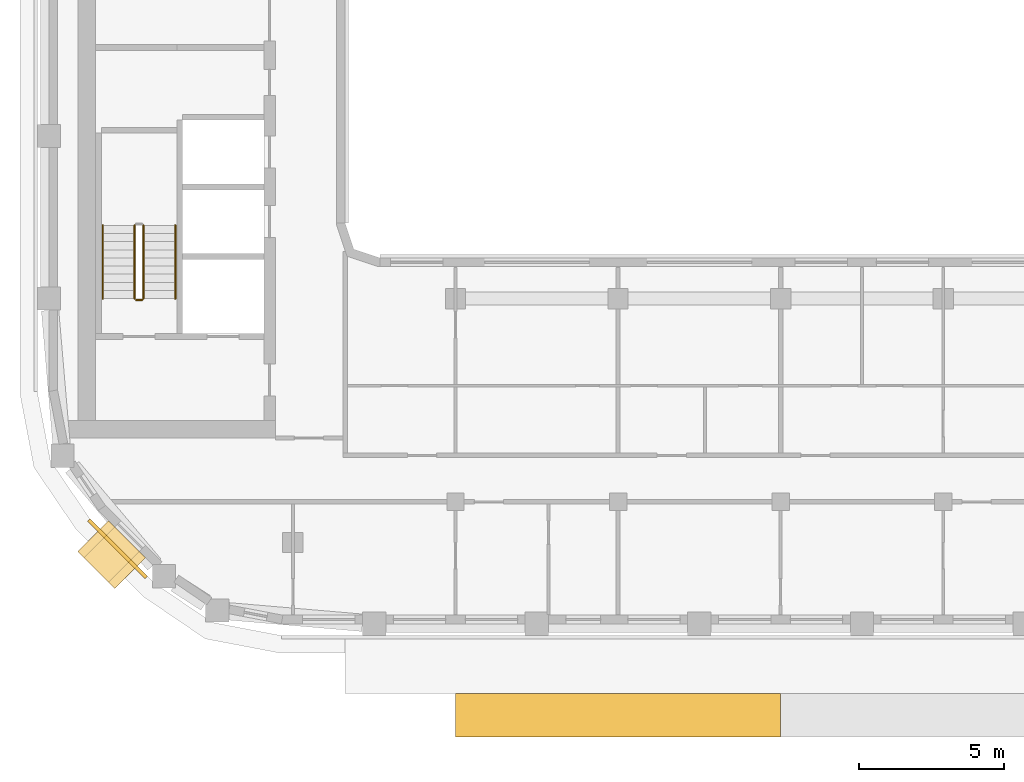
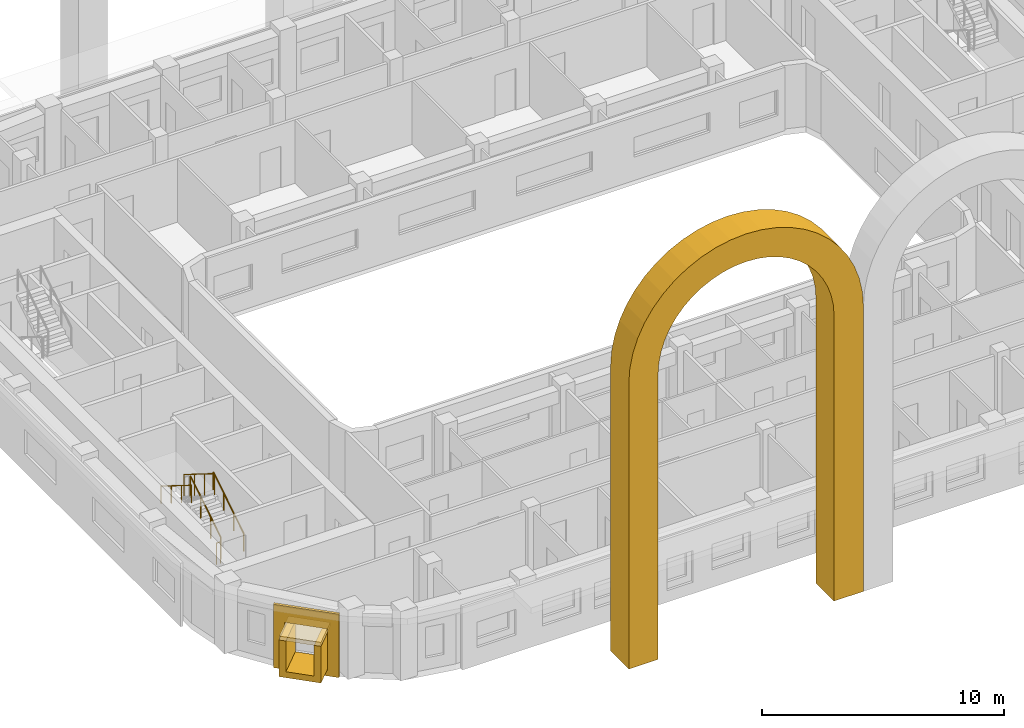
# One storey, part 10 of 18: 5 railings, 4 coverings.
"""IFC4 building model written with IfcOpenShell, lengths in metres."""

import ifcopenshell
import ifcopenshell.guid

model = None  # the IFC model being written
_history = None  # IfcOwnerHistory: only IFC2X3 demands one
_inside = {}  # id of a spatial element -> (the spatial element, [elements in it])
_under = {}  # id of a project, library or spatial element -> (it, [spatial elements below it])
_declared = {}  # id of a project -> (the project, [libraries it declares])
_typed = {}  # id of a type object -> (the type object, [elements of that type])
_made_of = {}  # id of a material, layer set ... -> (it, [elements and type objects made of it])


def new_model(schema):
    """Start an empty IFC model of exactly this schema.

    Asked for "IFC4X3", IfcOpenShell would pick the latest addendum, in which some entities
    have other attributes; the version numbers below select the first issue.
    IFC2X3 requires an IfcOwnerHistory on every rooted entity: one is made here for all.
    """
    global model, _history
    if schema == "IFC4X3":
        model = ifcopenshell.file(schema_version=(4, 3, 0, 0))
    else:
        model = ifcopenshell.file(schema=schema)
    _inside.clear()
    _under.clear()
    _declared.clear()
    _typed.clear()
    _made_of.clear()
    _history = None
    if model.schema == "IFC2X3":
        org = make("IfcOrganization", Name="unknown")
        user = make(
            "IfcPersonAndOrganization",
            ThePerson=make("IfcPerson", FamilyName="unknown"),
            TheOrganization=org,
        )
        app = make(
            "IfcApplication",
            ApplicationDeveloper=org,
            Version="unknown",
            ApplicationFullName="unknown",
            ApplicationIdentifier="unknown",
        )
        _history = make(
            "IfcOwnerHistory",
            OwningUser=user,
            OwningApplication=app,
            ChangeAction="ADDED",
            CreationDate=0,
        )
    return model


def make(cls, **values):
    """One entity of the class cls with the attributes given. An attribute that is None is left unset."""
    return model.create_entity(
        cls, **{name: value for name, value in values.items() if value is not None}
    )


def rooted(cls, **values):
    """An entity with a GlobalId (a new one), such as an element, a storey or a relation."""
    return make(cls, GlobalId=ifcopenshell.guid.new(), OwnerHistory=_history, **values)


def si_unit(unit_type, name, prefix=None):
    """IfcSIUnit, for example si_unit("LENGTHUNIT", "METRE", prefix="MILLI")."""
    return make("IfcSIUnit", UnitType=unit_type, Prefix=prefix, Name=name)


def assignment(units):
    """IfcUnitAssignment: the units of a project."""
    return None if units is None else make("IfcUnitAssignment", Units=units)


def point(xyz):
    """IfcCartesianPoint."""
    return None if xyz is None else make("IfcCartesianPoint", Coordinates=xyz)


def direction(xyz):
    """IfcDirection."""
    return None if xyz is None else make("IfcDirection", DirectionRatios=xyz)


def frame(location, z_axis=None, x_axis=None):
    """IfcAxis2Placement3D, a coordinate frame: its origin and axes. An axis left out is left unset."""
    return make(
        "IfcAxis2Placement3D",
        Location=point(location),
        Axis=direction(z_axis),
        RefDirection=direction(x_axis),
    )


def frame_2d(location, x_axis=None):
    """IfcAxis2Placement2D, a coordinate frame in the plane: its origin and x axis."""
    return make(
        "IfcAxis2Placement2D", Location=point(location), RefDirection=direction(x_axis)
    )


def origin():
    """The frame at (0, 0, 0) with its axes left unset."""
    return frame((0.0, 0.0, 0.0))


def origin_2d():
    """The frame at (0, 0) in the plane with its x axis left unset."""
    return frame_2d((0.0, 0.0))


def place(relative_to, where):
    """IfcLocalPlacement: puts the frame where relative to a parent placement (None: the world)."""
    return make(
        "IfcLocalPlacement", PlacementRelTo=relative_to, RelativePlacement=where
    )


def context(
    kind, dimensions, precision=None, world=None, true_north=None, identifier=None
):
    """IfcGeometricRepresentationContext, for example the 3D "Model" context."""
    return make(
        "IfcGeometricRepresentationContext",
        ContextIdentifier=identifier,
        ContextType=kind,
        CoordinateSpaceDimension=dimensions,
        Precision=precision,
        WorldCoordinateSystem=world,
        TrueNorth=true_north,
    )


def subcontext(parent, identifier, kind, view, scale=None):
    """IfcGeometricRepresentationSubContext, for example "Body" below "Model"."""
    return make(
        "IfcGeometricRepresentationSubContext",
        ContextIdentifier=identifier,
        ContextType=kind,
        ParentContext=parent,
        TargetScale=scale,
        TargetView=view,
    )


def project(units=None, contexts=None):
    """IfcProject with its units and contexts."""
    return rooted(
        "IfcProject",
        Name="project",
        RepresentationContexts=contexts,
        UnitsInContext=assignment(units),
    )


def spatial(cls, under=None, at=None, **own):
    """A site, building, storey or space (cls), placed at a placement, below another one or the project."""
    s = rooted(cls, ObjectPlacement=at, **own)
    if under is not None:
        _under.setdefault(under.id(), (under, []))[1].append(s)
    return s


def polyline(points):
    """IfcPolyline through the points."""
    return make("IfcPolyline", Points=[point(p) for p in points])


def profile(cls, at=None, kind="AREA", **sizes):
    """A parametric profile (cls). Its sizes go by their IFC names, for example OverallWidth=200.0."""
    return make(cls, ProfileType=kind, Position=at, **sizes)


def rectangle(**sizes):
    """IfcRectangleProfileDef."""
    return profile("IfcRectangleProfileDef", **sizes)


def circle(**sizes):
    """IfcCircleProfileDef."""
    return profile("IfcCircleProfileDef", **sizes)


def outline(outer, holes=None, kind="AREA"):
    """IfcArbitraryClosedProfileDef: a profile drawn as a closed curve; with holes, ...WithVoids."""
    if holes is None:
        return make("IfcArbitraryClosedProfileDef", ProfileType=kind, OuterCurve=outer)
    return make(
        "IfcArbitraryProfileDefWithVoids",
        ProfileType=kind,
        OuterCurve=outer,
        InnerCurves=holes,
    )


def extrude(swept, where, along, depth):
    """IfcExtrudedAreaSolid: the profile swept, set in the frame where, extruded along a direction by depth."""
    return make(
        "IfcExtrudedAreaSolid",
        SweptArea=swept,
        Position=where,
        ExtrudedDirection=direction(along),
        Depth=depth,
    )


def shape(context_of_items, identifier, shape_type, items):
    """IfcShapeRepresentation: the items that make up one representation, for example the "Body"."""
    return make(
        "IfcShapeRepresentation",
        ContextOfItems=context_of_items,
        RepresentationIdentifier=identifier,
        RepresentationType=shape_type,
        Items=items,
    )


def material(Name=None, Category=None):
    """IfcMaterial."""
    return make("IfcMaterial", Name=Name, Category=Category)


def layer(
    of_material, thickness, ventilated=None, Name=None, Category=None, Priority=None
):
    """IfcMaterialLayer: one layer of a wall or slab, of a material (None: an air gap)."""
    return make(
        "IfcMaterialLayer",
        Material=of_material,
        LayerThickness=thickness,
        IsVentilated=ventilated,
        Name=Name,
        Category=Category,
        Priority=Priority,
    )


def layer_set(layers, Name=None):
    """IfcMaterialLayerSet."""
    return make("IfcMaterialLayerSet", MaterialLayers=layers, LayerSetName=Name)


def made_of(thing, what):
    """Note that an element or type object is made of a material, layer set ...; save() writes the relation."""
    if what is not None:
        _made_of.setdefault(what.id(), (what, []))[1].append(thing)
    return thing


def type_object(cls, material=None, **own):
    """A type object (cls), such as IfcWallType, which elements share."""
    return made_of(rooted(cls, **own), material)


def element(
    cls,
    number,
    at=None,
    inside=None,
    cuts=None,
    type_object=None,
    material=None,
    context=None,
    identifier="Body",
    shape_type=None,
    held_by="IfcProductDefinitionShape",
    body=None,
    shapes=None,
    **own,
):
    """One element of the class cls, such as IfcWall. Its Tag is "e" and its number.

    at: its placement. inside: the storey or other place that contains it. cuts: it is an
    opening in that element (IfcRelVoidsElement). A single representation is given by context,
    identifier, shape_type and body (its items); several are given by shapes. held_by: the class
    of the entity that holds the representations. save() writes the other relations.
    """
    e = rooted(cls, Tag="e%d" % number, ObjectPlacement=at, **own)
    if body is not None:
        shapes = [shape(context, identifier, shape_type, body)]
    if shapes is not None:
        e.Representation = make(held_by, Representations=shapes)
    if inside is not None:
        _inside.setdefault(inside.id(), (inside, []))[1].append(e)
    if cuts is not None:
        rooted(
            "IfcRelVoidsElement", RelatingBuildingElement=cuts, RelatedOpeningElement=e
        )
    if type_object is not None:
        _typed.setdefault(type_object.id(), (type_object, []))[1].append(e)
    return made_of(e, material)


def aggregate(whole, parts):
    """IfcRelAggregates: a whole, such as a stair, and the parts it consists of."""
    return rooted("IfcRelAggregates", RelatingObject=whole, RelatedObjects=parts)


def save(model, path):
    """Write the relations noted so far, then the file.

    IfcRelAggregates (storeys below a building ...), IfcRelContainedInSpatialStructure (elements
    in a storey), IfcRelDefinesByType, IfcRelAssociatesMaterial and IfcRelDeclares: one each for
    every whole, place, type object, material and project.
    """
    for whole, parts in _under.values():
        aggregate(whole, parts)
    for where, things in _inside.values():
        rooted(
            "IfcRelContainedInSpatialStructure",
            RelatedElements=things,
            RelatingStructure=where,
        )
    for kind, things in _typed.values():
        rooted("IfcRelDefinesByType", RelatedObjects=things, RelatingType=kind)
    for what, things in _made_of.values():
        rooted("IfcRelAssociatesMaterial", RelatedObjects=things, RelatingMaterial=what)
    for by, libraries in _declared.values():
        rooted("IfcRelDeclares", RelatingContext=by, RelatedDefinitions=libraries)
    model.write(path)


model = new_model("IFC4")

# Units and contexts
model_context = context("Model", 3, precision=1e-05, world=origin(), true_north=direction((0.0, 1.0)))
body_context = subcontext(model_context, "Body", "Model", "MODEL_VIEW")
ifc_project = project(units=[si_unit("LENGTHUNIT", "METRE"), si_unit("AREAUNIT", "SQUARE_METRE"), si_unit("VOLUMEUNIT", "CUBIC_METRE"), si_unit("PLANEANGLEUNIT", "RADIAN"), si_unit("MASSUNIT", "GRAM", prefix="KILO")], contexts=[model_context])

# Site, building, storey
site_placement = place(None, origin())
site = spatial("IfcSite", under=ifc_project, at=site_placement, CompositionType="ELEMENT")
building_placement = place(site_placement, origin())
building = spatial("IfcBuilding", under=site, at=building_placement, Name="Kiln Ring Residences", CompositionType="ELEMENT")
storey_placement = place(building_placement, frame((0.0, 0.0, 262.699951171875)))
storey = spatial("IfcBuildingStorey", under=building, at=storey_placement, Name="L68", CompositionType="ELEMENT", Elevation=262.699951171875)

# Covering
ifc_material_1 = material(Name="Brick masonry, dark clay brick", Category="masonry")
ifc_layer_1 = layer(ifc_material_1, 1.39990234375)
ifc_layer_set_1 = layer_set([ifc_layer_1], Name="ARCH SURROUND 1500")
covering_type_1 = type_object("IfcCoveringType", Name="ARCH SURROUND 1500", PredefinedType="CLADDING", material=ifc_layer_set_1)
covering_1_placement = place(storey_placement, frame((0.0, -22.75, 0.0), z_axis=(0.0, 0.0, 1.0), x_axis=(-1.0, 0.0, 0.0)))
element("IfcCovering", 1, at=covering_1_placement, inside=storey, type_object=covering_type_1, Name="ARCH SURROUND Z5 S2.1", PredefinedType="CLADDING", context=body_context, shape_type="SweptSolid", body=[
    extrude(outline(polyline([(11.199951171875, 0.0), (11.199951171875, 14.400146484375), (11.152099609375, 15.130859375), (11.00927734375, 15.849365234375), (10.773681640625, 16.54296875), (10.44970703125, 17.199951171875), (10.042724609375, 17.80908203125), (9.559814453125, 18.35986328125), (9.009033203125, 18.8427734375), (8.39990234375, 19.249755859375), (7.742919921875, 19.57373046875), (7.04931640625, 19.809326171875), (6.330810546875, 19.9521484375), (5.60009765625, 20.0), (4.869140625, 19.9521484375), (4.150634765625, 19.809326171875), (3.45703125, 19.57373046875), (2.800048828125, 19.249755859375), (2.19091796875, 18.8427734375), (1.64013671875, 18.35986328125), (1.1572265625, 17.80908203125), (0.750244140625, 17.199951171875), (0.42626953125, 16.54296875), (0.19091796875, 15.849365234375), (0.0478515625, 15.130859375), (0.0, 14.400146484375), (0.0, 0.0), (1.39990234375, 0.0), (1.39990234375, 14.400146484375), (1.435791015625, 14.9482421875), (1.543212890625, 15.487060546875), (1.7197265625, 16.00732421875), (1.962646484375, 16.5), (2.267822265625, 16.956787109375), (2.630126953125, 17.369873046875), (3.043212890625, 17.732177734375), (3.5, 18.037353515625), (3.99267578125, 18.2802734375), (4.512939453125, 18.45703125), (5.0517578125, 18.564208984375), (5.60009765625, 18.60009765625), (6.148193359375, 18.564208984375), (6.68701171875, 18.45703125), (7.207275390625, 18.2802734375), (7.699951171875, 18.037353515625), (8.15673828125, 17.732177734375), (8.56982421875, 17.369873046875), (8.93212890625, 16.956787109375), (9.2373046875, 16.5), (9.480224609375, 16.00732421875), (9.656982421875, 15.487060546875), (9.76416015625, 14.9482421875), (9.800048828125, 14.400146484375), (9.800048828125, 0.0), (11.199951171875, 0.0)])), frame((0.0, 0.75, 0.0), z_axis=(0.0, -1.0, 0.0), x_axis=(1.0, 0.0, 0.0)), (0.0, 0.0, 1.0), 1.5),
])

# Railings
ifc_material_2 = material(Name="Stainless steel", Category="steel")
railing_type_1 = type_object("IfcRailingType", Name="CORE-STAIR-GUARD", PredefinedType="GUARDRAIL", material=ifc_material_2)
railing_1_placement = place(storey_placement, frame((-21.949951171875, -8.39990234375, 0.175048828125)))
element("IfcRailing", 2, at=railing_1_placement, inside=storey, type_object=railing_type_1, Name="L68 W-STS stair guard 1", PredefinedType="GUARDRAIL", context=body_context, shape_type="SweptSolid", body=[
    extrude(circle(Radius=0.02392578125, at=origin_2d()), frame((0.0, 0.0, 1.076171875), z_axis=(0.0, 0.848007534815, 0.529984170421), x_axis=(-1.0, 0.0, 0.0)), (0.0, 0.0, 1.0), 2.9716796875),
    extrude(circle(Radius=0.02099609375, at=origin_2d()), origin(), (0.0, 0.0, 1.0), 1.052001953125),
    extrude(circle(Radius=0.02099609375, at=origin_2d()), frame((0.0, 0.840087890625, 0.52490234375)), (0.0, 0.0, 1.0), 1.052001953125),
    extrude(circle(Radius=0.02099609375, at=origin_2d()), frame((0.0, 1.679931640625, 1.050048828125)), (0.0, 0.0, 1.0), 1.052001953125),
    extrude(circle(Radius=0.02099609375, at=origin_2d()), frame((0.0, 2.52001953125, 1.574951171875)), (0.0, 0.0, 1.0), 1.052001953125),
])
railing_2_placement = place(storey_placement, frame((-22.25, -5.8798828125, 1.925048828125)))
element("IfcRailing", 3, at=railing_2_placement, inside=storey, type_object=railing_type_1, Name="L68 W-STS stair guard 3", PredefinedType="GUARDRAIL", context=body_context, shape_type="SweptSolid", body=[
    extrude(circle(Radius=0.02392578125, at=origin_2d()), frame((0.0, 0.0, 1.076171875), z_axis=(0.0, -0.848007534815, 0.529984170421), x_axis=(1.0, 0.0, 0.0)), (0.0, 0.0, 1.0), 2.9716796875),
    extrude(circle(Radius=0.02099609375, at=origin_2d()), origin(), (0.0, 0.0, 1.0), 1.052001953125),
    extrude(circle(Radius=0.02099609375, at=origin_2d()), frame((0.0, -0.840087890625, 0.52490234375)), (0.0, 0.0, 1.0), 1.052001953125),
    extrude(circle(Radius=0.02099609375, at=origin_2d()), frame((0.0, -1.679931640625, 1.050048828125)), (0.0, 0.0, 1.0), 1.052001953125),
    extrude(circle(Radius=0.02099609375, at=origin_2d()), frame((0.0, -2.52001953125, 1.574951171875)), (0.0, 0.0, 1.0), 1.052001953125),
])
railing_3_placement = place(storey_placement, frame((-22.0, -8.449951171875, 0.0)))
element("IfcRailing", 4, at=railing_3_placement, inside=storey, type_object=railing_type_1, Name="L68 W-STS stair guard 4", PredefinedType="GUARDRAIL", context=body_context, shape_type="SweptSolid", body=[
    extrude(circle(Radius=0.02392578125, at=origin_2d()), frame((0.0, 0.0, 1.076171875), z_axis=(-1.0, 0.0, 0.0), x_axis=(0.0, -1.0, 0.0)), (0.0, 0.0, 1.0), 0.199951171875),
    extrude(circle(Radius=0.02099609375, at=origin_2d()), origin(), (0.0, 0.0, 1.0), 1.052001953125),
    extrude(circle(Radius=0.02099609375, at=origin_2d()), frame((-0.199951171875, 0.0, 0.0)), (0.0, 0.0, 1.0), 1.052001953125),
])
ifc_material_3 = material(Name="Stainless steel", Category="steel")
railing_type_2 = type_object("IfcRailingType", Name="CORE-STAIR-HANDRAIL", PredefinedType="HANDRAIL", material=ifc_material_3)
railing_4_placement = place(storey_placement, frame((-20.85009765625, -8.39990234375, 0.175048828125)))
element("IfcRailing", 5, at=railing_4_placement, inside=storey, type_object=railing_type_2, Name="L68 W-STS stair handrail 1", PredefinedType="HANDRAIL", context=body_context, shape_type="SweptSolid", body=[
    extrude(circle(Radius=0.02392578125, at=origin_2d()), frame((0.0, 0.0, 0.8759765625), z_axis=(0.0, 0.848007534815, 0.529984170421), x_axis=(-1.0, 0.0, 0.0)), (0.0, 0.0, 1.0), 2.9716796875),
    extrude(circle(Radius=0.02099609375, at=origin_2d()), origin(), (0.0, 0.0, 1.0), 0.851806640625),
    extrude(circle(Radius=0.02099609375, at=origin_2d()), frame((0.0, 0.840087890625, 0.52490234375)), (0.0, 0.0, 1.0), 0.851806640625),
    extrude(circle(Radius=0.02099609375, at=origin_2d()), frame((0.0, 1.679931640625, 1.050048828125)), (0.0, 0.0, 1.0), 0.851806640625),
    extrude(circle(Radius=0.02099609375, at=origin_2d()), frame((0.0, 2.52001953125, 1.574951171875)), (0.0, 0.0, 1.0), 0.851806640625),
])
railing_5_placement = place(storey_placement, frame((-23.35009765625, -5.8798828125, 1.925048828125)))
element("IfcRailing", 6, at=railing_5_placement, inside=storey, type_object=railing_type_2, Name="L68 W-STS stair handrail 2", PredefinedType="HANDRAIL", context=body_context, shape_type="SweptSolid", body=[
    extrude(circle(Radius=0.02392578125, at=origin_2d()), frame((0.0, 0.0, 0.8759765625), z_axis=(0.0, -0.848007534815, 0.529984170421), x_axis=(1.0, 0.0, 0.0)), (0.0, 0.0, 1.0), 2.9716796875),
    extrude(circle(Radius=0.02099609375, at=origin_2d()), origin(), (0.0, 0.0, 1.0), 0.851806640625),
    extrude(circle(Radius=0.02099609375, at=origin_2d()), frame((0.0, -0.840087890625, 0.52490234375)), (0.0, 0.0, 1.0), 0.851806640625),
    extrude(circle(Radius=0.02099609375, at=origin_2d()), frame((0.0, -1.679931640625, 1.050048828125)), (0.0, 0.0, 1.0), 0.851806640625),
    extrude(circle(Radius=0.02099609375, at=origin_2d()), frame((0.0, -2.52001953125, 1.574951171875)), (0.0, 0.0, 1.0), 0.851806640625),
])

# Coverings
ifc_material_4 = material(Name="Brick masonry, dark clay brick", Category="masonry")
ifc_layer_2 = layer(ifc_material_4, 0.300048828125)
ifc_layer_set_2 = layer_set([ifc_layer_2], Name="FRAME CHEEKS AND SILL 1500")
covering_type_2 = type_object("IfcCoveringType", Name="FRAME CHEEKS AND SILL 1500", PredefinedType="CLADDING", material=ifc_layer_set_2)
covering_2_placement = place(storey_placement, frame((-23.6796875, -16.5810546875, 0.300048828125), z_axis=(0.0, 0.0, 1.0), x_axis=(0.707106781187, -0.707106781187, 0.0)))
element("IfcCovering", 7, at=covering_2_placement, inside=storey, type_object=covering_type_2, Name="FRAME L68", PredefinedType="CLADDING", context=body_context, shape_type="SweptSolid", body=[
    extrude(outline(polyline([(0.0, 0.0), (1.7998046875, 0.0), (1.800048828125, 1.85009765625), (1.5009765625, 1.85009765625), (1.5, 0.300048828125), (0.300048828125, 0.300048828125), (0.299072265625, 1.85009765625), (0.0, 1.85009765625), (0.0, 0.0)])), frame((0.0, 0.75, 0.0), z_axis=(0.0, -1.0, 0.0), x_axis=(1.0, 0.0, 0.0)), (0.0, 0.0, 1.0), 1.5),
])
ifc_material_5 = material(Name="Brick masonry, dark clay brick", Category="masonry")
ifc_layer_3 = layer(ifc_material_5, 0.199951171875)
ifc_layer_set_3 = layer_set([ifc_layer_3], Name="FRAME HEAD 1500")
covering_type_3 = type_object("IfcCoveringType", Name="FRAME HEAD 1500", PredefinedType="CLADDING", material=ifc_layer_set_3)
covering_3_placement = place(storey_placement, frame((-23.043212890625, -17.21728515625, 2.14990234375), z_axis=(0.0, 0.0, 1.0), x_axis=(0.707106781187, -0.707106781187, 0.0)))
element("IfcCovering", 8, at=covering_3_placement, inside=storey, type_object=covering_type_3, Name="FRAME HEAD L68", PredefinedType="CLADDING", context=body_context, shape_type="SweptSolid", body=[
    extrude(rectangle(XDim=1.800048828125, YDim=1.5, at=origin_2d()), origin(), (0.0, 0.0, 1.0), 0.199951171875),
])
ifc_material_6 = material(Name="Brick masonry, dark clay brick", Category="masonry")
ifc_layer_4 = layer(ifc_material_6, 0.1201171875)
ifc_layer_set_4 = layer_set([ifc_layer_4], Name="RAINSCREEN PANEL 120")
covering_type_4 = type_object("IfcCoveringType", Name="RAINSCREEN PANEL 120", PredefinedType="CLADDING", material=ifc_layer_set_4)
covering_4_placement = place(storey_placement, frame((-23.828125, -16.022216796875, 0.0), z_axis=(0.0, 0.0, 1.0), x_axis=(0.707063182409, -0.707150377276, 0.0)))
element("IfcCovering", 9, at=covering_4_placement, inside=storey, type_object=covering_type_4, Name="RAINSCREEN L68", PredefinedType="CLADDING", context=body_context, shape_type="SweptSolid", body=[
    extrude(outline(polyline([(0.0, 0.0), (2.800048828125, 0.0), (2.800048828125, 3.199951171875), (0.0, 3.199951171875), (0.0, 0.0)]), holes=[polyline([(0.47998046875, 2.3701171875), (0.47998046875, 0.280029296875), (2.320068359375, 0.280029296875), (2.320068359375, 2.3701171875), (0.47998046875, 2.3701171875)])]), frame((0.0, 0.06005859375, 0.0), z_axis=(0.0, -1.0, 0.0), x_axis=(1.0, 0.0, 0.0)), (0.0, 0.0, 1.0), 0.1201171875),
])

save(model, "model.ifc")
